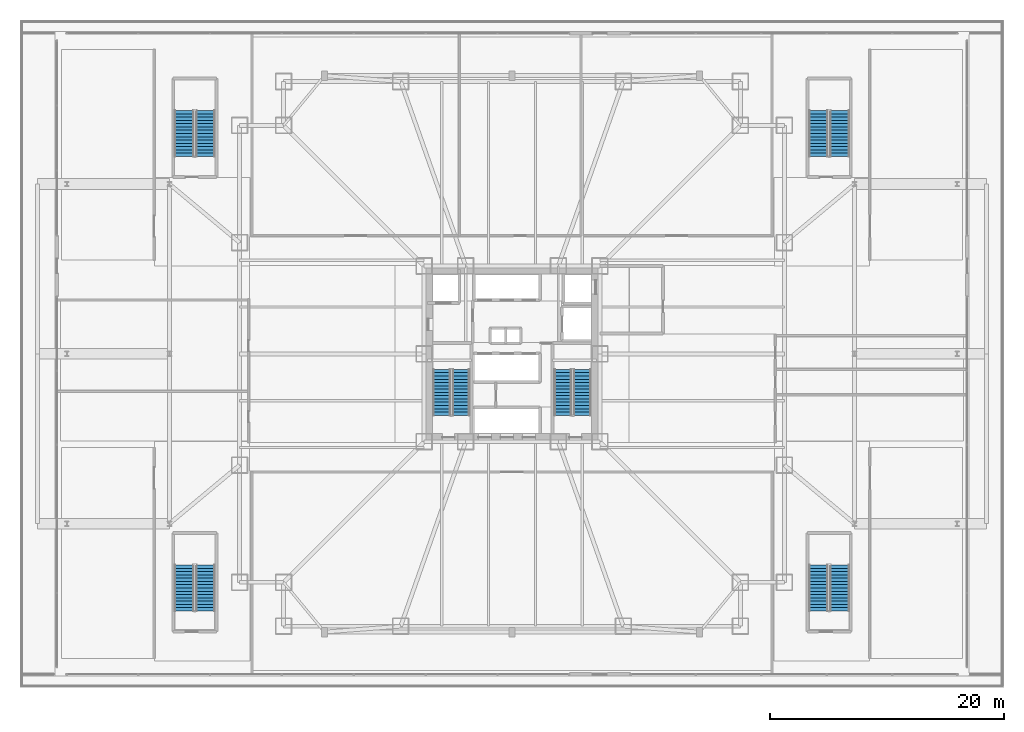
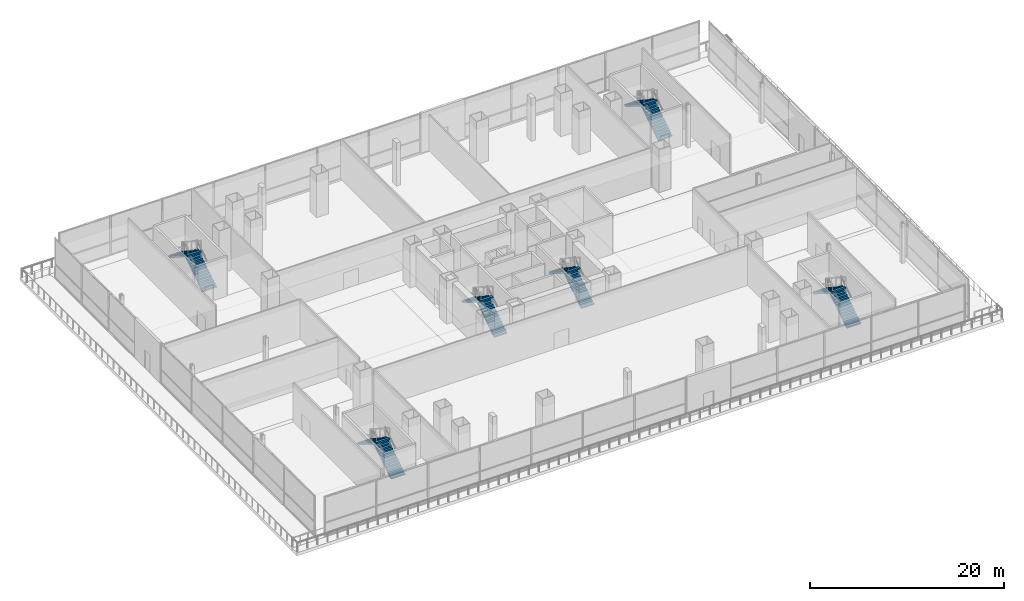
# One storey, part 24 of 36: 12 stair flights, 6 elements without a shape of their own.
"""IFC4 building model written with IfcOpenShell, lengths in metres."""

import ifcopenshell
import ifcopenshell.guid

model = None  # the IFC model being written
_history = None  # IfcOwnerHistory: only IFC2X3 demands one
_inside = {}  # id of a spatial element -> (the spatial element, [elements in it])
_under = {}  # id of a project, library or spatial element -> (it, [spatial elements below it])
_declared = {}  # id of a project -> (the project, [libraries it declares])
_typed = {}  # id of a type object -> (the type object, [elements of that type])
_made_of = {}  # id of a material, layer set ... -> (it, [elements and type objects made of it])


def new_model(schema):
    """Start an empty IFC model of exactly this schema.

    Asked for "IFC4X3", IfcOpenShell would pick the latest addendum, in which some entities
    have other attributes; the version numbers below select the first issue.
    IFC2X3 requires an IfcOwnerHistory on every rooted entity: one is made here for all.
    """
    global model, _history
    if schema == "IFC4X3":
        model = ifcopenshell.file(schema_version=(4, 3, 0, 0))
    else:
        model = ifcopenshell.file(schema=schema)
    _inside.clear()
    _under.clear()
    _declared.clear()
    _typed.clear()
    _made_of.clear()
    _history = None
    if model.schema == "IFC2X3":
        org = make("IfcOrganization", Name="unknown")
        user = make(
            "IfcPersonAndOrganization",
            ThePerson=make("IfcPerson", FamilyName="unknown"),
            TheOrganization=org,
        )
        app = make(
            "IfcApplication",
            ApplicationDeveloper=org,
            Version="unknown",
            ApplicationFullName="unknown",
            ApplicationIdentifier="unknown",
        )
        _history = make(
            "IfcOwnerHistory",
            OwningUser=user,
            OwningApplication=app,
            ChangeAction="ADDED",
            CreationDate=0,
        )
    return model


def make(cls, **values):
    """One entity of the class cls with the attributes given. An attribute that is None is left unset."""
    return model.create_entity(
        cls, **{name: value for name, value in values.items() if value is not None}
    )


def rooted(cls, **values):
    """An entity with a GlobalId (a new one), such as an element, a storey or a relation."""
    return make(cls, GlobalId=ifcopenshell.guid.new(), OwnerHistory=_history, **values)


def si_unit(unit_type, name, prefix=None):
    """IfcSIUnit, for example si_unit("LENGTHUNIT", "METRE", prefix="MILLI")."""
    return make("IfcSIUnit", UnitType=unit_type, Prefix=prefix, Name=name)


def assignment(units):
    """IfcUnitAssignment: the units of a project."""
    return None if units is None else make("IfcUnitAssignment", Units=units)


def point(xyz):
    """IfcCartesianPoint."""
    return None if xyz is None else make("IfcCartesianPoint", Coordinates=xyz)


def direction(xyz):
    """IfcDirection."""
    return None if xyz is None else make("IfcDirection", DirectionRatios=xyz)


def frame(location, z_axis=None, x_axis=None):
    """IfcAxis2Placement3D, a coordinate frame: its origin and axes. An axis left out is left unset."""
    return make(
        "IfcAxis2Placement3D",
        Location=point(location),
        Axis=direction(z_axis),
        RefDirection=direction(x_axis),
    )


def origin():
    """The frame at (0, 0, 0) with its axes left unset."""
    return frame((0.0, 0.0, 0.0))


def place(relative_to, where):
    """IfcLocalPlacement: puts the frame where relative to a parent placement (None: the world)."""
    return make(
        "IfcLocalPlacement", PlacementRelTo=relative_to, RelativePlacement=where
    )


def context(
    kind, dimensions, precision=None, world=None, true_north=None, identifier=None
):
    """IfcGeometricRepresentationContext, for example the 3D "Model" context."""
    return make(
        "IfcGeometricRepresentationContext",
        ContextIdentifier=identifier,
        ContextType=kind,
        CoordinateSpaceDimension=dimensions,
        Precision=precision,
        WorldCoordinateSystem=world,
        TrueNorth=true_north,
    )


def subcontext(parent, identifier, kind, view, scale=None):
    """IfcGeometricRepresentationSubContext, for example "Body" below "Model"."""
    return make(
        "IfcGeometricRepresentationSubContext",
        ContextIdentifier=identifier,
        ContextType=kind,
        ParentContext=parent,
        TargetScale=scale,
        TargetView=view,
    )


def project(units=None, contexts=None):
    """IfcProject with its units and contexts."""
    return rooted(
        "IfcProject",
        Name="project",
        RepresentationContexts=contexts,
        UnitsInContext=assignment(units),
    )


def spatial(cls, under=None, at=None, **own):
    """A site, building, storey or space (cls), placed at a placement, below another one or the project."""
    s = rooted(cls, ObjectPlacement=at, **own)
    if under is not None:
        _under.setdefault(under.id(), (under, []))[1].append(s)
    return s


def polyline(points):
    """IfcPolyline through the points."""
    return make("IfcPolyline", Points=[point(p) for p in points])


def outline(outer, holes=None, kind="AREA"):
    """IfcArbitraryClosedProfileDef: a profile drawn as a closed curve; with holes, ...WithVoids."""
    if holes is None:
        return make("IfcArbitraryClosedProfileDef", ProfileType=kind, OuterCurve=outer)
    return make(
        "IfcArbitraryProfileDefWithVoids",
        ProfileType=kind,
        OuterCurve=outer,
        InnerCurves=holes,
    )


def extrude(swept, where, along, depth):
    """IfcExtrudedAreaSolid: the profile swept, set in the frame where, extruded along a direction by depth."""
    return make(
        "IfcExtrudedAreaSolid",
        SweptArea=swept,
        Position=where,
        ExtrudedDirection=direction(along),
        Depth=depth,
    )


def shape(context_of_items, identifier, shape_type, items):
    """IfcShapeRepresentation: the items that make up one representation, for example the "Body"."""
    return make(
        "IfcShapeRepresentation",
        ContextOfItems=context_of_items,
        RepresentationIdentifier=identifier,
        RepresentationType=shape_type,
        Items=items,
    )


def material(Name=None, Category=None):
    """IfcMaterial."""
    return make("IfcMaterial", Name=Name, Category=Category)


def made_of(thing, what):
    """Note that an element or type object is made of a material, layer set ...; save() writes the relation."""
    if what is not None:
        _made_of.setdefault(what.id(), (what, []))[1].append(thing)
    return thing


def type_object(cls, material=None, **own):
    """A type object (cls), such as IfcWallType, which elements share."""
    return made_of(rooted(cls, **own), material)


def element(
    cls,
    number,
    at=None,
    inside=None,
    cuts=None,
    type_object=None,
    material=None,
    context=None,
    identifier="Body",
    shape_type=None,
    held_by="IfcProductDefinitionShape",
    body=None,
    shapes=None,
    **own,
):
    """One element of the class cls, such as IfcWall. Its Tag is "e" and its number.

    at: its placement. inside: the storey or other place that contains it. cuts: it is an
    opening in that element (IfcRelVoidsElement). A single representation is given by context,
    identifier, shape_type and body (its items); several are given by shapes. held_by: the class
    of the entity that holds the representations. save() writes the other relations.
    """
    e = rooted(cls, Tag="e%d" % number, ObjectPlacement=at, **own)
    if body is not None:
        shapes = [shape(context, identifier, shape_type, body)]
    if shapes is not None:
        e.Representation = make(held_by, Representations=shapes)
    if inside is not None:
        _inside.setdefault(inside.id(), (inside, []))[1].append(e)
    if cuts is not None:
        rooted(
            "IfcRelVoidsElement", RelatingBuildingElement=cuts, RelatedOpeningElement=e
        )
    if type_object is not None:
        _typed.setdefault(type_object.id(), (type_object, []))[1].append(e)
    return made_of(e, material)


def aggregate(whole, parts):
    """IfcRelAggregates: a whole, such as a stair, and the parts it consists of."""
    return rooted("IfcRelAggregates", RelatingObject=whole, RelatedObjects=parts)


def save(model, path):
    """Write the relations noted so far, then the file.

    IfcRelAggregates (storeys below a building ...), IfcRelContainedInSpatialStructure (elements
    in a storey), IfcRelDefinesByType, IfcRelAssociatesMaterial and IfcRelDeclares: one each for
    every whole, place, type object, material and project.
    """
    for whole, parts in _under.values():
        aggregate(whole, parts)
    for where, things in _inside.values():
        rooted(
            "IfcRelContainedInSpatialStructure",
            RelatedElements=things,
            RelatingStructure=where,
        )
    for kind, things in _typed.values():
        rooted("IfcRelDefinesByType", RelatedObjects=things, RelatingType=kind)
    for what, things in _made_of.values():
        rooted("IfcRelAssociatesMaterial", RelatedObjects=things, RelatingMaterial=what)
    for by, libraries in _declared.values():
        rooted("IfcRelDeclares", RelatingContext=by, RelatedDefinitions=libraries)
    model.write(path)


model = new_model("IFC4")

# Units and contexts
model_context = context("Model", 3, precision=1e-05, world=origin(), true_north=direction((0.0, 1.0)))
body_context = subcontext(model_context, "Body", "Model", "MODEL_VIEW")
ifc_project = project(units=[si_unit("LENGTHUNIT", "METRE"), si_unit("AREAUNIT", "SQUARE_METRE"), si_unit("VOLUMEUNIT", "CUBIC_METRE"), si_unit("PLANEANGLEUNIT", "RADIAN"), si_unit("MASSUNIT", "GRAM", prefix="KILO")], contexts=[model_context])

# Site, building, storey
site_placement = place(None, origin())
site = spatial("IfcSite", under=ifc_project, at=site_placement, CompositionType="ELEMENT")
building_placement = place(site_placement, origin())
building = spatial("IfcBuilding", under=site, at=building_placement, Name="Trevonay Congress Spire", CompositionType="ELEMENT")
storey_placement = place(building_placement, frame((0.0, 0.0, 5.39990234375)))
storey = spatial("IfcBuildingStorey", under=building, at=storey_placement, Name="L01", CompositionType="ELEMENT", Elevation=5.39990234375)

# Stair, stair flights
ifc_material = material(Name="Concrete C40/50", Category="concrete")
stair_type_1 = type_object("IfcStairType", Name="STR-ST-1", PredefinedType="HALF_TURN_STAIR", material=ifc_material)
stair_1_placement = place(storey_placement, origin())
stair_1 = element("IfcStair", 1, at=stair_1_placement, inside=storey, type_object=stair_type_1, Name="L01 Protected Exit Stair ST-1", PredefinedType="HALF_TURN_STAIR")
stair_flight_type_1 = type_object("IfcStairFlightType", Name="SFL-ST-1", PredefinedType="STRAIGHT", material=ifc_material)
stair_flight_1_placement = place(storey_placement, frame((-4.35009765625, -5.25, 0.0), z_axis=(0.0, 0.0, 1.0), x_axis=(0.0, 1.0, 0.0)))
stair_flight_1 = element("IfcStairFlight", 2, at=stair_flight_1_placement, type_object=stair_flight_type_1, Name="ST-1 flight 1", NumberOfRisers=15, NumberOfTreads=14, PredefinedType="STRAIGHT", RiserHeight=0.18, TreadLength=0.28, context=body_context, shape_type="SweptSolid", body=[
    extrude(outline(polyline([(0.0, 0.0), (0.0, 0.179931640625), (0.280029296875, 0.179931640625), (0.280029296875, 0.360107421875), (0.56005859375, 0.360107421875), (0.56005859375, 0.5400390625), (0.840087890625, 0.5400390625), (0.840087890625, 0.719970703125), (1.1201171875, 0.719970703125), (1.1201171875, 0.89990234375), (1.39990234375, 0.89990234375), (1.39990234375, 1.080078125), (1.679931640625, 1.080078125), (1.679931640625, 1.260009765625), (1.9599609375, 1.260009765625), (1.9599609375, 1.43994140625), (2.239990234375, 1.43994140625), (2.239990234375, 1.6201171875), (2.52001953125, 1.6201171875), (2.52001953125, 1.800048828125), (2.800048828125, 1.800048828125), (2.800048828125, 1.97998046875), (3.080078125, 1.97998046875), (3.080078125, 2.159912109375), (3.360107421875, 2.159912109375), (3.360107421875, 2.340087890625), (3.639892578125, 2.340087890625), (3.639892578125, 2.52001953125), (3.919921875, 2.52001953125), (3.919921875, 2.699951171875), (3.919921875, 2.341796875), (0.277099609375, 0.0), (0.0, 0.0)])), frame((0.0, 0.75, 0.0), z_axis=(0.0, -1.0, 0.0), x_axis=(1.0, 0.0, 0.0)), (0.0, 0.0, 1.0), 1.5),
])
stair_flight_2_placement = place(storey_placement, frame((-6.0, -1.330078125, 2.7001953125), z_axis=(0.0, 0.0, 1.0), x_axis=(0.0, -1.0, 0.0)))
stair_flight_2 = element("IfcStairFlight", 3, at=stair_flight_2_placement, type_object=stair_flight_type_1, Name="ST-1 flight 2", NumberOfRisers=15, NumberOfTreads=14, PredefinedType="STRAIGHT", RiserHeight=0.18, TreadLength=0.28, context=body_context, shape_type="SweptSolid", body=[
    extrude(outline(polyline([(0.0, 0.0), (0.0, 0.179931640625), (0.280029296875, 0.179931640625), (0.280029296875, 0.360107421875), (0.56005859375, 0.360107421875), (0.56005859375, 0.5400390625), (0.840087890625, 0.5400390625), (0.840087890625, 0.719970703125), (1.1201171875, 0.719970703125), (1.1201171875, 0.89990234375), (1.39990234375, 0.89990234375), (1.39990234375, 1.080078125), (1.679931640625, 1.080078125), (1.679931640625, 1.260009765625), (1.9599609375, 1.260009765625), (1.9599609375, 1.43994140625), (2.239990234375, 1.43994140625), (2.239990234375, 1.6201171875), (2.52001953125, 1.6201171875), (2.52001953125, 1.800048828125), (2.800048828125, 1.800048828125), (2.800048828125, 1.97998046875), (3.080078125, 1.97998046875), (3.080078125, 2.159912109375), (3.360107421875, 2.159912109375), (3.360107421875, 2.340087890625), (3.639892578125, 2.340087890625), (3.639892578125, 2.52001953125), (3.919921875, 2.52001953125), (3.919921875, 2.699951171875), (3.919921875, 2.341796875), (0.277099609375, 0.0), (0.0, 0.0)])), frame((0.0, 0.75, 0.0), z_axis=(0.0, -1.0, 0.0), x_axis=(1.0, 0.0, 0.0)), (0.0, 0.0, 1.0), 1.5),
])
aggregate(stair_1, [stair_flight_1, stair_flight_2])

stair_type_2 = type_object("IfcStairType", Name="STR-ST-2", PredefinedType="HALF_TURN_STAIR", material=ifc_material)
stair_2_placement = place(storey_placement, origin())
stair_2 = element("IfcStair", 4, at=stair_2_placement, inside=storey, type_object=stair_type_2, Name="L01 Protected Exit Stair ST-2", PredefinedType="HALF_TURN_STAIR")
stair_flight_type_2 = type_object("IfcStairFlightType", Name="SFL-ST-2", PredefinedType="STRAIGHT", material=ifc_material)
stair_flight_3_placement = place(storey_placement, frame((6.0, -5.25, 0.0), z_axis=(0.0, 0.0, 1.0), x_axis=(0.0, 1.0, 0.0)))
stair_flight_3 = element("IfcStairFlight", 5, at=stair_flight_3_placement, type_object=stair_flight_type_2, Name="ST-2 flight 1", NumberOfRisers=15, NumberOfTreads=14, PredefinedType="STRAIGHT", RiserHeight=0.18, TreadLength=0.28, context=body_context, shape_type="SweptSolid", body=[
    extrude(outline(polyline([(0.0, 0.0), (0.0, 0.179931640625), (0.280029296875, 0.179931640625), (0.280029296875, 0.360107421875), (0.56005859375, 0.360107421875), (0.56005859375, 0.5400390625), (0.840087890625, 0.5400390625), (0.840087890625, 0.719970703125), (1.1201171875, 0.719970703125), (1.1201171875, 0.89990234375), (1.39990234375, 0.89990234375), (1.39990234375, 1.080078125), (1.679931640625, 1.080078125), (1.679931640625, 1.260009765625), (1.9599609375, 1.260009765625), (1.9599609375, 1.43994140625), (2.239990234375, 1.43994140625), (2.239990234375, 1.6201171875), (2.52001953125, 1.6201171875), (2.52001953125, 1.800048828125), (2.800048828125, 1.800048828125), (2.800048828125, 1.97998046875), (3.080078125, 1.97998046875), (3.080078125, 2.159912109375), (3.360107421875, 2.159912109375), (3.360107421875, 2.340087890625), (3.639892578125, 2.340087890625), (3.639892578125, 2.52001953125), (3.919921875, 2.52001953125), (3.919921875, 2.699951171875), (3.919921875, 2.341796875), (0.277099609375, 0.0), (0.0, 0.0)])), frame((0.0, 0.75, 0.0), z_axis=(0.0, -1.0, 0.0), x_axis=(1.0, 0.0, 0.0)), (0.0, 0.0, 1.0), 1.5),
])
stair_flight_4_placement = place(storey_placement, frame((4.35009765625, -1.330078125, 2.7001953125), z_axis=(0.0, 0.0, 1.0), x_axis=(0.0, -1.0, 0.0)))
stair_flight_4 = element("IfcStairFlight", 6, at=stair_flight_4_placement, type_object=stair_flight_type_2, Name="ST-2 flight 2", NumberOfRisers=15, NumberOfTreads=14, PredefinedType="STRAIGHT", RiserHeight=0.18, TreadLength=0.28, context=body_context, shape_type="SweptSolid", body=[
    extrude(outline(polyline([(0.0, 0.0), (0.0, 0.179931640625), (0.280029296875, 0.179931640625), (0.280029296875, 0.360107421875), (0.56005859375, 0.360107421875), (0.56005859375, 0.5400390625), (0.840087890625, 0.5400390625), (0.840087890625, 0.719970703125), (1.1201171875, 0.719970703125), (1.1201171875, 0.89990234375), (1.39990234375, 0.89990234375), (1.39990234375, 1.080078125), (1.679931640625, 1.080078125), (1.679931640625, 1.260009765625), (1.9599609375, 1.260009765625), (1.9599609375, 1.43994140625), (2.239990234375, 1.43994140625), (2.239990234375, 1.6201171875), (2.52001953125, 1.6201171875), (2.52001953125, 1.800048828125), (2.800048828125, 1.800048828125), (2.800048828125, 1.97998046875), (3.080078125, 1.97998046875), (3.080078125, 2.159912109375), (3.360107421875, 2.159912109375), (3.360107421875, 2.340087890625), (3.639892578125, 2.340087890625), (3.639892578125, 2.52001953125), (3.919921875, 2.52001953125), (3.919921875, 2.699951171875), (3.919921875, 2.341796875), (0.277099609375, 0.0), (0.0, 0.0)])), frame((0.0, 0.75, 0.0), z_axis=(0.0, -1.0, 0.0), x_axis=(1.0, 0.0, 0.0)), (0.0, 0.0, 1.0), 1.5),
])
aggregate(stair_2, [stair_flight_3, stair_flight_4])

stair_type_3 = type_object("IfcStairType", Name="STR-ST-3", PredefinedType="HALF_TURN_STAIR", material=ifc_material)
stair_3_placement = place(storey_placement, origin())
stair_3 = element("IfcStair", 7, at=stair_3_placement, inside=storey, type_object=stair_type_3, Name="L01 Protected Exit Stair ST-3", PredefinedType="HALF_TURN_STAIR")
stair_flight_type_3 = type_object("IfcStairFlightType", Name="SFL-ST-3", PredefinedType="STRAIGHT", material=ifc_material)
stair_flight_5_placement = place(storey_placement, frame((-26.175048828125, -21.949951171875, 0.0), z_axis=(0.0, 0.0, 1.0), x_axis=(0.0, 1.0, 0.0)))
stair_flight_5 = element("IfcStairFlight", 8, at=stair_flight_5_placement, type_object=stair_flight_type_3, Name="ST-3 flight 1", NumberOfRisers=15, NumberOfTreads=14, PredefinedType="STRAIGHT", RiserHeight=0.18, TreadLength=0.28, context=body_context, shape_type="SweptSolid", body=[
    extrude(outline(polyline([(0.0, 0.0), (0.0, 0.179931640625), (0.280029296875, 0.179931640625), (0.280029296875, 0.360107421875), (0.56005859375, 0.360107421875), (0.56005859375, 0.5400390625), (0.840087890625, 0.5400390625), (0.840087890625, 0.719970703125), (1.1201171875, 0.719970703125), (1.1201171875, 0.89990234375), (1.39990234375, 0.89990234375), (1.39990234375, 1.080078125), (1.679931640625, 1.080078125), (1.679931640625, 1.260009765625), (1.9599609375, 1.260009765625), (1.9599609375, 1.43994140625), (2.239990234375, 1.43994140625), (2.239990234375, 1.6201171875), (2.52001953125, 1.6201171875), (2.52001953125, 1.800048828125), (2.800048828125, 1.800048828125), (2.800048828125, 1.97998046875), (3.080078125, 1.97998046875), (3.080078125, 2.159912109375), (3.360107421875, 2.159912109375), (3.360107421875, 2.340087890625), (3.639892578125, 2.340087890625), (3.639892578125, 2.52001953125), (3.919921875, 2.52001953125), (3.919921875, 2.699951171875), (3.919921875, 2.341796875), (0.277099609375, 0.0), (0.0, 0.0)])), frame((0.0, 0.824951171875, 0.0), z_axis=(0.0, -1.0, 0.0), x_axis=(1.0, 0.0, 0.0)), (0.0, 0.0, 1.0), 1.64990234375),
])
stair_flight_6_placement = place(storey_placement, frame((-27.97509765625, -18.030029296875, 2.7001953125), z_axis=(0.0, 0.0, 1.0), x_axis=(0.0, -1.0, 0.0)))
stair_flight_6 = element("IfcStairFlight", 9, at=stair_flight_6_placement, type_object=stair_flight_type_3, Name="ST-3 flight 2", NumberOfRisers=15, NumberOfTreads=14, PredefinedType="STRAIGHT", RiserHeight=0.18, TreadLength=0.28, context=body_context, shape_type="SweptSolid", body=[
    extrude(outline(polyline([(0.0, 0.0), (0.0, 0.179931640625), (0.280029296875, 0.179931640625), (0.280029296875, 0.360107421875), (0.56005859375, 0.360107421875), (0.56005859375, 0.5400390625), (0.840087890625, 0.5400390625), (0.840087890625, 0.719970703125), (1.1201171875, 0.719970703125), (1.1201171875, 0.89990234375), (1.39990234375, 0.89990234375), (1.39990234375, 1.080078125), (1.679931640625, 1.080078125), (1.679931640625, 1.260009765625), (1.9599609375, 1.260009765625), (1.9599609375, 1.43994140625), (2.239990234375, 1.43994140625), (2.239990234375, 1.6201171875), (2.52001953125, 1.6201171875), (2.52001953125, 1.800048828125), (2.800048828125, 1.800048828125), (2.800048828125, 1.97998046875), (3.080078125, 1.97998046875), (3.080078125, 2.159912109375), (3.360107421875, 2.159912109375), (3.360107421875, 2.340087890625), (3.639892578125, 2.340087890625), (3.639892578125, 2.52001953125), (3.919921875, 2.52001953125), (3.919921875, 2.699951171875), (3.919921875, 2.341796875), (0.277099609375, 0.0), (0.0, 0.0)])), frame((0.0, 0.824951171875, 0.0), z_axis=(0.0, -1.0, 0.0), x_axis=(1.0, 0.0, 0.0)), (0.0, 0.0, 1.0), 1.64990234375),
])
aggregate(stair_3, [stair_flight_5, stair_flight_6])

stair_type_4 = type_object("IfcStairType", Name="STR-ST-4", PredefinedType="HALF_TURN_STAIR", material=ifc_material)
stair_4_placement = place(storey_placement, origin())
stair_4 = element("IfcStair", 10, at=stair_4_placement, inside=storey, type_object=stair_type_4, Name="L01 Protected Exit Stair ST-4", PredefinedType="HALF_TURN_STAIR")
stair_flight_type_4 = type_object("IfcStairFlightType", Name="SFL-ST-4", PredefinedType="STRAIGHT", material=ifc_material)
stair_flight_7_placement = place(storey_placement, frame((27.97509765625, -21.949951171875, 0.0), z_axis=(0.0, 0.0, 1.0), x_axis=(0.0, 1.0, 0.0)))
stair_flight_7 = element("IfcStairFlight", 11, at=stair_flight_7_placement, type_object=stair_flight_type_4, Name="ST-4 flight 1", NumberOfRisers=15, NumberOfTreads=14, PredefinedType="STRAIGHT", RiserHeight=0.18, TreadLength=0.28, context=body_context, shape_type="SweptSolid", body=[
    extrude(outline(polyline([(0.0, 0.0), (0.0, 0.179931640625), (0.280029296875, 0.179931640625), (0.280029296875, 0.360107421875), (0.56005859375, 0.360107421875), (0.56005859375, 0.5400390625), (0.840087890625, 0.5400390625), (0.840087890625, 0.719970703125), (1.1201171875, 0.719970703125), (1.1201171875, 0.89990234375), (1.39990234375, 0.89990234375), (1.39990234375, 1.080078125), (1.679931640625, 1.080078125), (1.679931640625, 1.260009765625), (1.9599609375, 1.260009765625), (1.9599609375, 1.43994140625), (2.239990234375, 1.43994140625), (2.239990234375, 1.6201171875), (2.52001953125, 1.6201171875), (2.52001953125, 1.800048828125), (2.800048828125, 1.800048828125), (2.800048828125, 1.97998046875), (3.080078125, 1.97998046875), (3.080078125, 2.159912109375), (3.360107421875, 2.159912109375), (3.360107421875, 2.340087890625), (3.639892578125, 2.340087890625), (3.639892578125, 2.52001953125), (3.919921875, 2.52001953125), (3.919921875, 2.699951171875), (3.919921875, 2.341796875), (0.277099609375, 0.0), (0.0, 0.0)])), frame((0.0, 0.824951171875, 0.0), z_axis=(0.0, -1.0, 0.0), x_axis=(1.0, 0.0, 0.0)), (0.0, 0.0, 1.0), 1.64990234375),
])
stair_flight_8_placement = place(storey_placement, frame((26.175048828125, -18.030029296875, 2.7001953125), z_axis=(0.0, 0.0, 1.0), x_axis=(0.0, -1.0, 0.0)))
stair_flight_8 = element("IfcStairFlight", 12, at=stair_flight_8_placement, type_object=stair_flight_type_4, Name="ST-4 flight 2", NumberOfRisers=15, NumberOfTreads=14, PredefinedType="STRAIGHT", RiserHeight=0.18, TreadLength=0.28, context=body_context, shape_type="SweptSolid", body=[
    extrude(outline(polyline([(0.0, 0.0), (0.0, 0.179931640625), (0.280029296875, 0.179931640625), (0.280029296875, 0.360107421875), (0.56005859375, 0.360107421875), (0.56005859375, 0.5400390625), (0.840087890625, 0.5400390625), (0.840087890625, 0.719970703125), (1.1201171875, 0.719970703125), (1.1201171875, 0.89990234375), (1.39990234375, 0.89990234375), (1.39990234375, 1.080078125), (1.679931640625, 1.080078125), (1.679931640625, 1.260009765625), (1.9599609375, 1.260009765625), (1.9599609375, 1.43994140625), (2.239990234375, 1.43994140625), (2.239990234375, 1.6201171875), (2.52001953125, 1.6201171875), (2.52001953125, 1.800048828125), (2.800048828125, 1.800048828125), (2.800048828125, 1.97998046875), (3.080078125, 1.97998046875), (3.080078125, 2.159912109375), (3.360107421875, 2.159912109375), (3.360107421875, 2.340087890625), (3.639892578125, 2.340087890625), (3.639892578125, 2.52001953125), (3.919921875, 2.52001953125), (3.919921875, 2.699951171875), (3.919921875, 2.341796875), (0.277099609375, 0.0), (0.0, 0.0)])), frame((0.0, 0.824951171875, 0.0), z_axis=(0.0, -1.0, 0.0), x_axis=(1.0, 0.0, 0.0)), (0.0, 0.0, 1.0), 1.64990234375),
])
aggregate(stair_4, [stair_flight_7, stair_flight_8])

stair_type_5 = type_object("IfcStairType", Name="STR-ST-5", PredefinedType="HALF_TURN_STAIR", material=ifc_material)
stair_5_placement = place(storey_placement, origin())
stair_5 = element("IfcStair", 13, at=stair_5_placement, inside=storey, type_object=stair_type_5, Name="L01 Protected Exit Stair ST-5", PredefinedType="HALF_TURN_STAIR")
stair_flight_type_5 = type_object("IfcStairFlightType", Name="SFL-ST-5", PredefinedType="STRAIGHT", material=ifc_material)
stair_flight_9_placement = place(storey_placement, frame((-26.175048828125, 16.85009765625, 0.0), z_axis=(0.0, 0.0, 1.0), x_axis=(0.0, 1.0, 0.0)))
stair_flight_9 = element("IfcStairFlight", 14, at=stair_flight_9_placement, type_object=stair_flight_type_5, Name="ST-5 flight 1", NumberOfRisers=15, NumberOfTreads=14, PredefinedType="STRAIGHT", RiserHeight=0.18, TreadLength=0.28, context=body_context, shape_type="SweptSolid", body=[
    extrude(outline(polyline([(0.0, 0.0), (0.0, 0.179931640625), (0.280029296875, 0.179931640625), (0.280029296875, 0.360107421875), (0.56005859375, 0.360107421875), (0.56005859375, 0.5400390625), (0.840087890625, 0.5400390625), (0.840087890625, 0.719970703125), (1.1201171875, 0.719970703125), (1.1201171875, 0.89990234375), (1.39990234375, 0.89990234375), (1.39990234375, 1.080078125), (1.679931640625, 1.080078125), (1.679931640625, 1.260009765625), (1.9599609375, 1.260009765625), (1.9599609375, 1.43994140625), (2.239990234375, 1.43994140625), (2.239990234375, 1.6201171875), (2.52001953125, 1.6201171875), (2.52001953125, 1.800048828125), (2.800048828125, 1.800048828125), (2.800048828125, 1.97998046875), (3.080078125, 1.97998046875), (3.080078125, 2.159912109375), (3.360107421875, 2.159912109375), (3.360107421875, 2.340087890625), (3.639892578125, 2.340087890625), (3.639892578125, 2.52001953125), (3.919921875, 2.52001953125), (3.919921875, 2.699951171875), (3.919921875, 2.341796875), (0.277099609375, 0.0), (0.0, 0.0)])), frame((0.0, 0.824951171875, 0.0), z_axis=(0.0, -1.0, 0.0), x_axis=(1.0, 0.0, 0.0)), (0.0, 0.0, 1.0), 1.64990234375),
])
stair_flight_10_placement = place(storey_placement, frame((-27.97509765625, 20.77001953125, 2.7001953125), z_axis=(0.0, 0.0, 1.0), x_axis=(0.0, -1.0, 0.0)))
stair_flight_10 = element("IfcStairFlight", 15, at=stair_flight_10_placement, type_object=stair_flight_type_5, Name="ST-5 flight 2", NumberOfRisers=15, NumberOfTreads=14, PredefinedType="STRAIGHT", RiserHeight=0.18, TreadLength=0.28, context=body_context, shape_type="SweptSolid", body=[
    extrude(outline(polyline([(0.0, 0.0), (0.0, 0.179931640625), (0.280029296875, 0.179931640625), (0.280029296875, 0.360107421875), (0.56005859375, 0.360107421875), (0.56005859375, 0.5400390625), (0.840087890625, 0.5400390625), (0.840087890625, 0.719970703125), (1.1201171875, 0.719970703125), (1.1201171875, 0.89990234375), (1.39990234375, 0.89990234375), (1.39990234375, 1.080078125), (1.679931640625, 1.080078125), (1.679931640625, 1.260009765625), (1.9599609375, 1.260009765625), (1.9599609375, 1.43994140625), (2.239990234375, 1.43994140625), (2.239990234375, 1.6201171875), (2.52001953125, 1.6201171875), (2.52001953125, 1.800048828125), (2.800048828125, 1.800048828125), (2.800048828125, 1.97998046875), (3.080078125, 1.97998046875), (3.080078125, 2.159912109375), (3.360107421875, 2.159912109375), (3.360107421875, 2.340087890625), (3.639892578125, 2.340087890625), (3.639892578125, 2.52001953125), (3.919921875, 2.52001953125), (3.919921875, 2.699951171875), (3.919921875, 2.341796875), (0.277099609375, 0.0), (0.0, 0.0)])), frame((0.0, 0.824951171875, 0.0), z_axis=(0.0, -1.0, 0.0), x_axis=(1.0, 0.0, 0.0)), (0.0, 0.0, 1.0), 1.64990234375),
])
aggregate(stair_5, [stair_flight_9, stair_flight_10])

stair_type_6 = type_object("IfcStairType", Name="STR-ST-6", PredefinedType="HALF_TURN_STAIR", material=ifc_material)
stair_6_placement = place(storey_placement, origin())
stair_6 = element("IfcStair", 16, at=stair_6_placement, inside=storey, type_object=stair_type_6, Name="L01 Protected Exit Stair ST-6", PredefinedType="HALF_TURN_STAIR")
stair_flight_type_6 = type_object("IfcStairFlightType", Name="SFL-ST-6", PredefinedType="STRAIGHT", material=ifc_material)
stair_flight_11_placement = place(storey_placement, frame((27.97509765625, 16.85009765625, 0.0), z_axis=(0.0, 0.0, 1.0), x_axis=(0.0, 1.0, 0.0)))
stair_flight_11 = element("IfcStairFlight", 17, at=stair_flight_11_placement, type_object=stair_flight_type_6, Name="ST-6 flight 1", NumberOfRisers=15, NumberOfTreads=14, PredefinedType="STRAIGHT", RiserHeight=0.18, TreadLength=0.28, context=body_context, shape_type="SweptSolid", body=[
    extrude(outline(polyline([(0.0, 0.0), (0.0, 0.179931640625), (0.280029296875, 0.179931640625), (0.280029296875, 0.360107421875), (0.56005859375, 0.360107421875), (0.56005859375, 0.5400390625), (0.840087890625, 0.5400390625), (0.840087890625, 0.719970703125), (1.1201171875, 0.719970703125), (1.1201171875, 0.89990234375), (1.39990234375, 0.89990234375), (1.39990234375, 1.080078125), (1.679931640625, 1.080078125), (1.679931640625, 1.260009765625), (1.9599609375, 1.260009765625), (1.9599609375, 1.43994140625), (2.239990234375, 1.43994140625), (2.239990234375, 1.6201171875), (2.52001953125, 1.6201171875), (2.52001953125, 1.800048828125), (2.800048828125, 1.800048828125), (2.800048828125, 1.97998046875), (3.080078125, 1.97998046875), (3.080078125, 2.159912109375), (3.360107421875, 2.159912109375), (3.360107421875, 2.340087890625), (3.639892578125, 2.340087890625), (3.639892578125, 2.52001953125), (3.919921875, 2.52001953125), (3.919921875, 2.699951171875), (3.919921875, 2.341796875), (0.277099609375, 0.0), (0.0, 0.0)])), frame((0.0, 0.824951171875, 0.0), z_axis=(0.0, -1.0, 0.0), x_axis=(1.0, 0.0, 0.0)), (0.0, 0.0, 1.0), 1.64990234375),
])
stair_flight_12_placement = place(storey_placement, frame((26.175048828125, 20.77001953125, 2.7001953125), z_axis=(0.0, 0.0, 1.0), x_axis=(0.0, -1.0, 0.0)))
stair_flight_12 = element("IfcStairFlight", 18, at=stair_flight_12_placement, type_object=stair_flight_type_6, Name="ST-6 flight 2", NumberOfRisers=15, NumberOfTreads=14, PredefinedType="STRAIGHT", RiserHeight=0.18, TreadLength=0.28, context=body_context, shape_type="SweptSolid", body=[
    extrude(outline(polyline([(0.0, 0.0), (0.0, 0.179931640625), (0.280029296875, 0.179931640625), (0.280029296875, 0.360107421875), (0.56005859375, 0.360107421875), (0.56005859375, 0.5400390625), (0.840087890625, 0.5400390625), (0.840087890625, 0.719970703125), (1.1201171875, 0.719970703125), (1.1201171875, 0.89990234375), (1.39990234375, 0.89990234375), (1.39990234375, 1.080078125), (1.679931640625, 1.080078125), (1.679931640625, 1.260009765625), (1.9599609375, 1.260009765625), (1.9599609375, 1.43994140625), (2.239990234375, 1.43994140625), (2.239990234375, 1.6201171875), (2.52001953125, 1.6201171875), (2.52001953125, 1.800048828125), (2.800048828125, 1.800048828125), (2.800048828125, 1.97998046875), (3.080078125, 1.97998046875), (3.080078125, 2.159912109375), (3.360107421875, 2.159912109375), (3.360107421875, 2.340087890625), (3.639892578125, 2.340087890625), (3.639892578125, 2.52001953125), (3.919921875, 2.52001953125), (3.919921875, 2.699951171875), (3.919921875, 2.341796875), (0.277099609375, 0.0), (0.0, 0.0)])), frame((0.0, 0.824951171875, 0.0), z_axis=(0.0, -1.0, 0.0), x_axis=(1.0, 0.0, 0.0)), (0.0, 0.0, 1.0), 1.64990234375),
])
aggregate(stair_6, [stair_flight_11, stair_flight_12])

save(model, "model.ifc")
